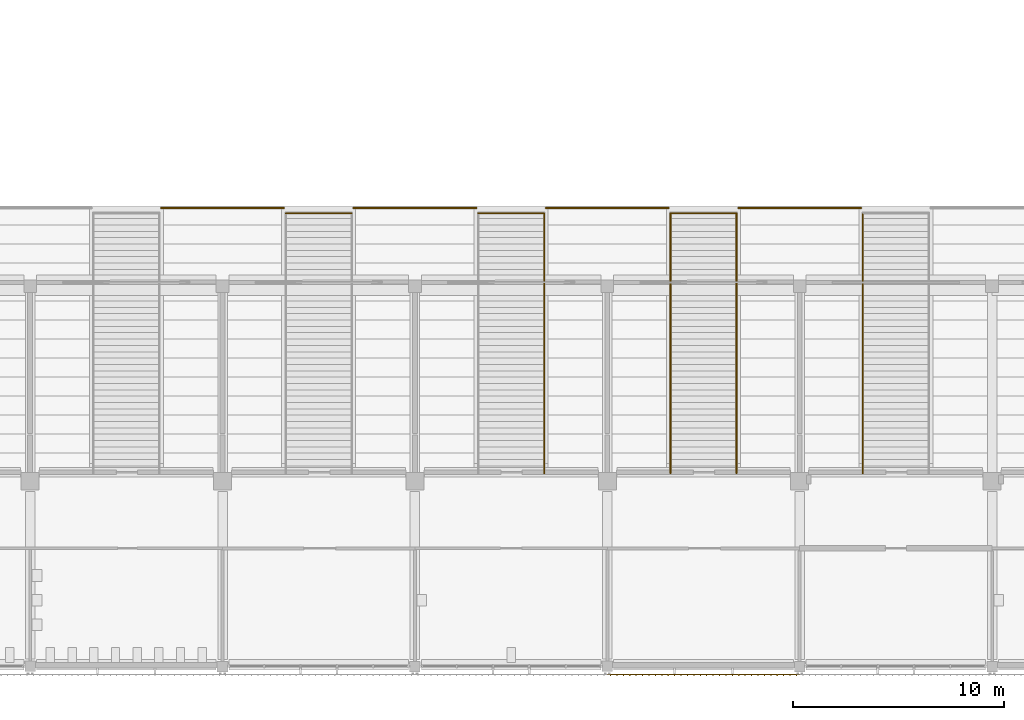
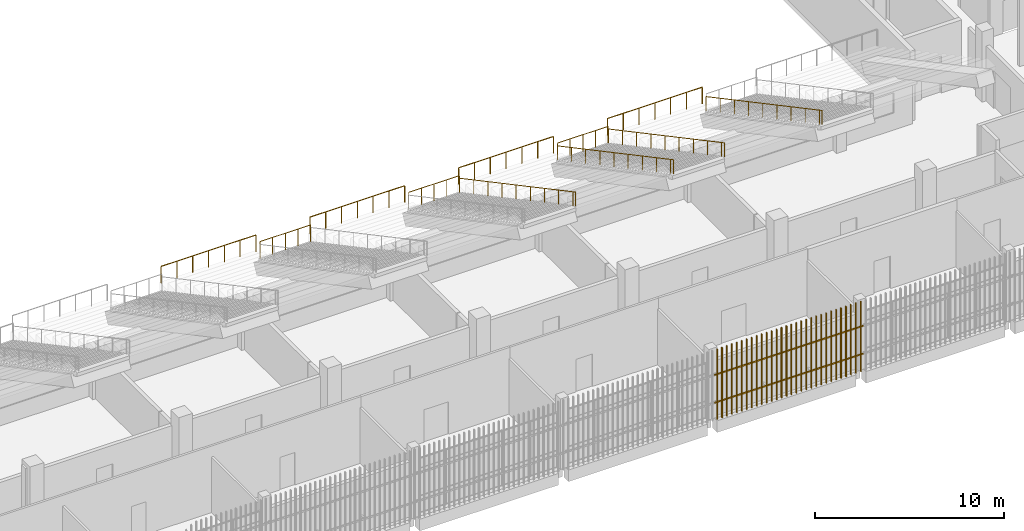
# One storey, part 119 of 139: 11 railings, 1 shading device.
"""IFC4 building model written with IfcOpenShell, lengths in metres."""

from ifc_helpers import new_model, si_unit, direction, frame, origin, origin_2d, place, context, subcontext, project, spatial, rectangle, circle, extrude, material, type_object, element, save


model = new_model("IFC4")

# Units and contexts
model_context = context("Model", 3, precision=1e-05, world=origin(), true_north=direction((0.0, 1.0)))
body_context = subcontext(model_context, "Body", "Model", "MODEL_VIEW")
ifc_project = project(units=[si_unit("LENGTHUNIT", "METRE"), si_unit("AREAUNIT", "SQUARE_METRE"), si_unit("VOLUMEUNIT", "CUBIC_METRE"), si_unit("PLANEANGLEUNIT", "RADIAN"), si_unit("MASSUNIT", "GRAM", prefix="KILO")], contexts=[model_context])

# Site, building, storey
site_placement = place(None, origin())
site = spatial("IfcSite", under=ifc_project, at=site_placement, CompositionType="ELEMENT")
building_placement = place(site_placement, origin())
building = spatial("IfcBuilding", under=site, at=building_placement, Name="Shirokan Park Arena", CompositionType="ELEMENT")
storey_placement = place(building_placement, frame((0.0, 0.0, 15.469970703125)))
storey = spatial("IfcBuildingStorey", under=building, at=storey_placement, Name="L03", CompositionType="ELEMENT", Elevation=15.469970703125)

# Railings
ifc_material_1 = material(Name="Stainless steel", Category="steel")
railing_type_1 = type_object("IfcRailingType", Name="Aisle foot guard 1100", PredefinedType="GUARDRAIL", material=ifc_material_1)
railing_1_placement = place(storey_placement, frame((66.699951171875, 21.35009765625, 2.5400390625)))
element("IfcRailing", 1, at=railing_1_placement, inside=storey, type_object=railing_type_1, Name="Guard foot of vomitory stair S3 upper", PredefinedType="GUARDRAIL", context=body_context, shape_type="SweptSolid", body=[
    extrude(circle(Radius=0.02490234375, at=origin_2d()), frame((0.0, 0.0, 1.0771484375), z_axis=(1.0, 0.0, 0.0), x_axis=(0.0, 1.0, 0.0)), (0.0, 0.0, 1.0), 3.10009765625),
    extrude(circle(Radius=0.02490234375, at=origin_2d()), origin(), (0.0, 0.0, 1.0), 1.052001953125),
    extrude(circle(Radius=0.02490234375, at=origin_2d()), frame((0.77490234375, 0.0, 0.0)), (0.0, 0.0, 1.0), 1.052001953125),
    extrude(circle(Radius=0.02490234375, at=origin_2d()), frame((1.550048828125, 0.0, 0.0)), (0.0, 0.0, 1.0), 1.052001953125),
    extrude(circle(Radius=0.02490234375, at=origin_2d()), frame((2.3251953125, 0.0, 0.0)), (0.0, 0.0, 1.0), 1.052001953125),
    extrude(circle(Radius=0.02490234375, at=origin_2d()), frame((3.10009765625, 0.0, 0.0)), (0.0, 0.0, 1.0), 1.052001953125),
])
railing_2_placement = place(storey_placement, frame((75.800048828125, 21.35009765625, 2.5400390625)))
element("IfcRailing", 2, at=railing_2_placement, inside=storey, type_object=railing_type_1, Name="Guard foot of vomitory stair S4 upper", PredefinedType="GUARDRAIL", context=body_context, shape_type="SweptSolid", body=[
    extrude(circle(Radius=0.02490234375, at=origin_2d()), frame((0.0, 0.0, 1.0771484375), z_axis=(1.0, 0.0, 0.0), x_axis=(0.0, 1.0, 0.0)), (0.0, 0.0, 1.0), 3.099853515625),
    extrude(circle(Radius=0.02490234375, at=origin_2d()), origin(), (0.0, 0.0, 1.0), 1.052001953125),
    extrude(circle(Radius=0.02490234375, at=origin_2d()), frame((0.77490234375, 0.0, 0.0)), (0.0, 0.0, 1.0), 1.052001953125),
    extrude(circle(Radius=0.02490234375, at=origin_2d()), frame((1.5498046875, 0.0, 0.0)), (0.0, 0.0, 1.0), 1.052001953125),
    extrude(circle(Radius=0.02490234375, at=origin_2d()), frame((2.324951171875, 0.0, 0.0)), (0.0, 0.0, 1.0), 1.052001953125),
    extrude(circle(Radius=0.02490234375, at=origin_2d()), frame((3.099853515625, 0.0, 0.0)), (0.0, 0.0, 1.0), 1.052001953125),
])
railing_3_placement = place(storey_placement, frame((84.89990234375, 21.35009765625, 2.5400390625)))
element("IfcRailing", 3, at=railing_3_placement, inside=storey, type_object=railing_type_1, Name="Guard foot of vomitory stair S5 upper", PredefinedType="GUARDRAIL", context=body_context, shape_type="SweptSolid", body=[
    extrude(circle(Radius=0.02490234375, at=origin_2d()), frame((0.0, 0.0, 1.0771484375), z_axis=(1.0, 0.0, 0.0), x_axis=(0.0, 1.0, 0.0)), (0.0, 0.0, 1.0), 3.10009765625),
    extrude(circle(Radius=0.02490234375, at=origin_2d()), origin(), (0.0, 0.0, 1.0), 1.052001953125),
    extrude(circle(Radius=0.02490234375, at=origin_2d()), frame((0.77490234375, 0.0, 0.0)), (0.0, 0.0, 1.0), 1.052001953125),
    extrude(circle(Radius=0.02490234375, at=origin_2d()), frame((1.550048828125, 0.0, 0.0)), (0.0, 0.0, 1.0), 1.052001953125),
    extrude(circle(Radius=0.02490234375, at=origin_2d()), frame((2.3251953125, 0.0, 0.0)), (0.0, 0.0, 1.0), 1.052001953125),
    extrude(circle(Radius=0.02490234375, at=origin_2d()), frame((3.10009765625, 0.0, 0.0)), (0.0, 0.0, 1.0), 1.052001953125),
])
railing_type_2 = type_object("IfcRailingType", Name="Aisle handrail 900", PredefinedType="HANDRAIL", material=ifc_material_1)
railing_4_placement = place(storey_placement, frame((78.909912109375, 21.35009765625, 2.5400390625)))
element("IfcRailing", 4, at=railing_4_placement, inside=storey, type_object=railing_type_2, Name="Handrail vomitory stair S4 upper", PredefinedType="HANDRAIL", context=body_context, shape_type="SweptSolid", body=[
    extrude(circle(Radius=0.02490234375, at=origin_2d()), frame((0.0, 0.0, 0.90185546875), z_axis=(0.0, -0.882341014787, 0.470610596591), x_axis=(1.0, 0.0, 0.0)), (0.0, 0.0, 1.0), 1.699951171875),
    extrude(circle(Radius=0.02490234375, at=origin_2d()), frame((0.0, -1.5, 1.70166015625), z_axis=(0.0, -0.882341014787, 0.470610596591), x_axis=(1.0, 0.0, 0.0)), (0.0, 0.0, 1.0), 1.699951171875),
    extrude(circle(Radius=0.02490234375, at=origin_2d()), frame((0.0, -3.0, 2.501953125), z_axis=(0.0, -0.88240064429, 0.470498781037), x_axis=(1.0, 0.0, 0.0)), (0.0, 0.0, 1.0), 1.699951171875),
    extrude(circle(Radius=0.02490234375, at=origin_2d()), frame((0.0, -4.5, 3.3017578125), z_axis=(0.0, -0.882341014787, 0.470610596591), x_axis=(1.0, 0.0, 0.0)), (0.0, 0.0, 1.0), 1.699951171875),
    extrude(circle(Radius=0.02490234375, at=origin_2d()), frame((0.0, -6.0, 4.1015625), z_axis=(0.0, -0.882341014787, 0.470610596591), x_axis=(1.0, 0.0, 0.0)), (0.0, 0.0, 1.0), 1.699951171875),
    extrude(circle(Radius=0.02490234375, at=origin_2d()), frame((0.0, -7.5, 4.90185546875), z_axis=(0.0, -0.882341014787, 0.470610596591), x_axis=(1.0, 0.0, 0.0)), (0.0, 0.0, 1.0), 1.699951171875),
    extrude(circle(Radius=0.02490234375, at=origin_2d()), frame((0.0, -9.0, 5.70166015625), z_axis=(0.0, -0.882341014787, 0.470610596591), x_axis=(1.0, 0.0, 0.0)), (0.0, 0.0, 1.0), 1.699951171875),
    extrude(circle(Radius=0.02490234375, at=origin_2d()), frame((0.0, -10.5, 6.501953125), z_axis=(0.0, -0.88240064429, 0.470498781037), x_axis=(1.0, 0.0, 0.0)), (0.0, 0.0, 1.0), 1.699951171875),
    extrude(circle(Radius=0.02490234375, at=origin_2d()), frame((0.0, -12.0, 7.3017578125), z_axis=(0.0, -0.882193928472, 0.470886262878), x_axis=(1.0, 0.0, 0.0)), (0.0, 0.0, 1.0), 0.340087890625),
    extrude(circle(Radius=0.02490234375, at=origin_2d()), origin(), (0.0, 0.0, 1.0), 0.876708984375),
    extrude(circle(Radius=0.02490234375, at=origin_2d()), frame((0.0, -1.5, 0.800048828125)), (0.0, 0.0, 1.0), 0.876708984375),
    extrude(circle(Radius=0.02490234375, at=origin_2d()), frame((0.0, -3.0, 1.60009765625)), (0.0, 0.0, 1.0), 0.876708984375),
    extrude(circle(Radius=0.02490234375, at=origin_2d()), frame((0.0, -4.5, 2.39990234375)), (0.0, 0.0, 1.0), 0.876708984375),
    extrude(circle(Radius=0.02490234375, at=origin_2d()), frame((0.0, -6.0, 3.199951171875)), (0.0, 0.0, 1.0), 0.876708984375),
    extrude(circle(Radius=0.02490234375, at=origin_2d()), frame((0.0, -7.5, 4.0)), (0.0, 0.0, 1.0), 0.876708984375),
    extrude(circle(Radius=0.02490234375, at=origin_2d()), frame((0.0, -9.0, 4.800048828125)), (0.0, 0.0, 1.0), 0.876708984375),
    extrude(circle(Radius=0.02490234375, at=origin_2d()), frame((0.0, -10.5, 5.60009765625)), (0.0, 0.0, 1.0), 0.876708984375),
    extrude(circle(Radius=0.02490234375, at=origin_2d()), frame((0.0, -12.0, 6.39990234375)), (0.0, 0.0, 1.0), 0.876708984375),
    extrude(circle(Radius=0.02490234375, at=origin_2d()), frame((0.0, -12.300048828125, 6.56005859375)), (0.0, 0.0, 1.0), 0.876708984375),
])
railing_5_placement = place(storey_placement, frame((84.889892578125, 21.35009765625, 2.5400390625)))
element("IfcRailing", 5, at=railing_5_placement, inside=storey, type_object=railing_type_2, Name="Handrail vomitory stair S5 upper", PredefinedType="HANDRAIL", context=body_context, shape_type="SweptSolid", body=[
    extrude(circle(Radius=0.02490234375, at=origin_2d()), frame((0.0, 0.0, 0.90185546875), z_axis=(0.0, -0.882341014787, 0.470610596591), x_axis=(1.0, 0.0, 0.0)), (0.0, 0.0, 1.0), 1.699951171875),
    extrude(circle(Radius=0.02490234375, at=origin_2d()), frame((0.0, -1.5, 1.70166015625), z_axis=(0.0, -0.882341014787, 0.470610596591), x_axis=(1.0, 0.0, 0.0)), (0.0, 0.0, 1.0), 1.699951171875),
    extrude(circle(Radius=0.02490234375, at=origin_2d()), frame((0.0, -3.0, 2.501953125), z_axis=(0.0, -0.88240064429, 0.470498781037), x_axis=(1.0, 0.0, 0.0)), (0.0, 0.0, 1.0), 1.699951171875),
    extrude(circle(Radius=0.02490234375, at=origin_2d()), frame((0.0, -4.5, 3.3017578125), z_axis=(0.0, -0.882341014787, 0.470610596591), x_axis=(1.0, 0.0, 0.0)), (0.0, 0.0, 1.0), 1.699951171875),
    extrude(circle(Radius=0.02490234375, at=origin_2d()), frame((0.0, -6.0, 4.1015625), z_axis=(0.0, -0.882341014787, 0.470610596591), x_axis=(1.0, 0.0, 0.0)), (0.0, 0.0, 1.0), 1.699951171875),
    extrude(circle(Radius=0.02490234375, at=origin_2d()), frame((0.0, -7.5, 4.90185546875), z_axis=(0.0, -0.882341014787, 0.470610596591), x_axis=(1.0, 0.0, 0.0)), (0.0, 0.0, 1.0), 1.699951171875),
    extrude(circle(Radius=0.02490234375, at=origin_2d()), frame((0.0, -9.0, 5.70166015625), z_axis=(0.0, -0.882341014787, 0.470610596591), x_axis=(1.0, 0.0, 0.0)), (0.0, 0.0, 1.0), 1.699951171875),
    extrude(circle(Radius=0.02490234375, at=origin_2d()), frame((0.0, -10.5, 6.501953125), z_axis=(0.0, -0.88240064429, 0.470498781037), x_axis=(1.0, 0.0, 0.0)), (0.0, 0.0, 1.0), 1.699951171875),
    extrude(circle(Radius=0.02490234375, at=origin_2d()), frame((0.0, -12.0, 7.3017578125), z_axis=(0.0, -0.882193928472, 0.470886262878), x_axis=(1.0, 0.0, 0.0)), (0.0, 0.0, 1.0), 0.340087890625),
    extrude(circle(Radius=0.02490234375, at=origin_2d()), origin(), (0.0, 0.0, 1.0), 0.876708984375),
    extrude(circle(Radius=0.02490234375, at=origin_2d()), frame((0.0, -1.5, 0.800048828125)), (0.0, 0.0, 1.0), 0.876708984375),
    extrude(circle(Radius=0.02490234375, at=origin_2d()), frame((0.0, -3.0, 1.60009765625)), (0.0, 0.0, 1.0), 0.876708984375),
    extrude(circle(Radius=0.02490234375, at=origin_2d()), frame((0.0, -4.5, 2.39990234375)), (0.0, 0.0, 1.0), 0.876708984375),
    extrude(circle(Radius=0.02490234375, at=origin_2d()), frame((0.0, -6.0, 3.199951171875)), (0.0, 0.0, 1.0), 0.876708984375),
    extrude(circle(Radius=0.02490234375, at=origin_2d()), frame((0.0, -7.5, 4.0)), (0.0, 0.0, 1.0), 0.876708984375),
    extrude(circle(Radius=0.02490234375, at=origin_2d()), frame((0.0, -9.0, 4.800048828125)), (0.0, 0.0, 1.0), 0.876708984375),
    extrude(circle(Radius=0.02490234375, at=origin_2d()), frame((0.0, -10.5, 5.60009765625)), (0.0, 0.0, 1.0), 0.876708984375),
    extrude(circle(Radius=0.02490234375, at=origin_2d()), frame((0.0, -12.0, 6.39990234375)), (0.0, 0.0, 1.0), 0.876708984375),
    extrude(circle(Radius=0.02490234375, at=origin_2d()), frame((0.0, -12.300048828125, 6.56005859375)), (0.0, 0.0, 1.0), 0.876708984375),
])
railing_6_placement = place(storey_placement, frame((88.010009765625, 21.35009765625, 2.5400390625)))
element("IfcRailing", 6, at=railing_6_placement, inside=storey, type_object=railing_type_2, Name="Handrail vomitory stair S5 upper", PredefinedType="HANDRAIL", context=body_context, shape_type="SweptSolid", body=[
    extrude(circle(Radius=0.02490234375, at=origin_2d()), frame((0.0, 0.0, 0.90185546875), z_axis=(0.0, -0.882341014787, 0.470610596591), x_axis=(1.0, 0.0, 0.0)), (0.0, 0.0, 1.0), 1.699951171875),
    extrude(circle(Radius=0.02490234375, at=origin_2d()), frame((0.0, -1.5, 1.70166015625), z_axis=(0.0, -0.882341014787, 0.470610596591), x_axis=(1.0, 0.0, 0.0)), (0.0, 0.0, 1.0), 1.699951171875),
    extrude(circle(Radius=0.02490234375, at=origin_2d()), frame((0.0, -3.0, 2.501953125), z_axis=(0.0, -0.88240064429, 0.470498781037), x_axis=(1.0, 0.0, 0.0)), (0.0, 0.0, 1.0), 1.699951171875),
    extrude(circle(Radius=0.02490234375, at=origin_2d()), frame((0.0, -4.5, 3.3017578125), z_axis=(0.0, -0.882341014787, 0.470610596591), x_axis=(1.0, 0.0, 0.0)), (0.0, 0.0, 1.0), 1.699951171875),
    extrude(circle(Radius=0.02490234375, at=origin_2d()), frame((0.0, -6.0, 4.1015625), z_axis=(0.0, -0.882341014787, 0.470610596591), x_axis=(1.0, 0.0, 0.0)), (0.0, 0.0, 1.0), 1.699951171875),
    extrude(circle(Radius=0.02490234375, at=origin_2d()), frame((0.0, -7.5, 4.90185546875), z_axis=(0.0, -0.882341014787, 0.470610596591), x_axis=(1.0, 0.0, 0.0)), (0.0, 0.0, 1.0), 1.699951171875),
    extrude(circle(Radius=0.02490234375, at=origin_2d()), frame((0.0, -9.0, 5.70166015625), z_axis=(0.0, -0.882341014787, 0.470610596591), x_axis=(1.0, 0.0, 0.0)), (0.0, 0.0, 1.0), 1.699951171875),
    extrude(circle(Radius=0.02490234375, at=origin_2d()), frame((0.0, -10.5, 6.501953125), z_axis=(0.0, -0.88240064429, 0.470498781037), x_axis=(1.0, 0.0, 0.0)), (0.0, 0.0, 1.0), 1.699951171875),
    extrude(circle(Radius=0.02490234375, at=origin_2d()), frame((0.0, -12.0, 7.3017578125), z_axis=(0.0, -0.882193928472, 0.470886262878), x_axis=(1.0, 0.0, 0.0)), (0.0, 0.0, 1.0), 0.340087890625),
    extrude(circle(Radius=0.02490234375, at=origin_2d()), origin(), (0.0, 0.0, 1.0), 0.876708984375),
    extrude(circle(Radius=0.02490234375, at=origin_2d()), frame((0.0, -1.5, 0.800048828125)), (0.0, 0.0, 1.0), 0.876708984375),
    extrude(circle(Radius=0.02490234375, at=origin_2d()), frame((0.0, -3.0, 1.60009765625)), (0.0, 0.0, 1.0), 0.876708984375),
    extrude(circle(Radius=0.02490234375, at=origin_2d()), frame((0.0, -4.5, 2.39990234375)), (0.0, 0.0, 1.0), 0.876708984375),
    extrude(circle(Radius=0.02490234375, at=origin_2d()), frame((0.0, -6.0, 3.199951171875)), (0.0, 0.0, 1.0), 0.876708984375),
    extrude(circle(Radius=0.02490234375, at=origin_2d()), frame((0.0, -7.5, 4.0)), (0.0, 0.0, 1.0), 0.876708984375),
    extrude(circle(Radius=0.02490234375, at=origin_2d()), frame((0.0, -9.0, 4.800048828125)), (0.0, 0.0, 1.0), 0.876708984375),
    extrude(circle(Radius=0.02490234375, at=origin_2d()), frame((0.0, -10.5, 5.60009765625)), (0.0, 0.0, 1.0), 0.876708984375),
    extrude(circle(Radius=0.02490234375, at=origin_2d()), frame((0.0, -12.0, 6.39990234375)), (0.0, 0.0, 1.0), 0.876708984375),
    extrude(circle(Radius=0.02490234375, at=origin_2d()), frame((0.0, -12.300048828125, 6.56005859375)), (0.0, 0.0, 1.0), 0.876708984375),
])
railing_7_placement = place(storey_placement, frame((93.989990234375, 21.35009765625, 2.5400390625)))
element("IfcRailing", 7, at=railing_7_placement, inside=storey, type_object=railing_type_2, Name="Handrail vomitory stair S6 upper", PredefinedType="HANDRAIL", context=body_context, shape_type="SweptSolid", body=[
    extrude(circle(Radius=0.02490234375, at=origin_2d()), frame((0.0, 0.0, 0.90185546875), z_axis=(0.0, -0.882341014787, 0.470610596591), x_axis=(1.0, 0.0, 0.0)), (0.0, 0.0, 1.0), 1.699951171875),
    extrude(circle(Radius=0.02490234375, at=origin_2d()), frame((0.0, -1.5, 1.70166015625), z_axis=(0.0, -0.882341014787, 0.470610596591), x_axis=(1.0, 0.0, 0.0)), (0.0, 0.0, 1.0), 1.699951171875),
    extrude(circle(Radius=0.02490234375, at=origin_2d()), frame((0.0, -3.0, 2.501953125), z_axis=(0.0, -0.88240064429, 0.470498781037), x_axis=(1.0, 0.0, 0.0)), (0.0, 0.0, 1.0), 1.699951171875),
    extrude(circle(Radius=0.02490234375, at=origin_2d()), frame((0.0, -4.5, 3.3017578125), z_axis=(0.0, -0.882341014787, 0.470610596591), x_axis=(1.0, 0.0, 0.0)), (0.0, 0.0, 1.0), 1.699951171875),
    extrude(circle(Radius=0.02490234375, at=origin_2d()), frame((0.0, -6.0, 4.1015625), z_axis=(0.0, -0.882341014787, 0.470610596591), x_axis=(1.0, 0.0, 0.0)), (0.0, 0.0, 1.0), 1.699951171875),
    extrude(circle(Radius=0.02490234375, at=origin_2d()), frame((0.0, -7.5, 4.90185546875), z_axis=(0.0, -0.882341014787, 0.470610596591), x_axis=(1.0, 0.0, 0.0)), (0.0, 0.0, 1.0), 1.699951171875),
    extrude(circle(Radius=0.02490234375, at=origin_2d()), frame((0.0, -9.0, 5.70166015625), z_axis=(0.0, -0.882341014787, 0.470610596591), x_axis=(1.0, 0.0, 0.0)), (0.0, 0.0, 1.0), 1.699951171875),
    extrude(circle(Radius=0.02490234375, at=origin_2d()), frame((0.0, -10.5, 6.501953125), z_axis=(0.0, -0.88240064429, 0.470498781037), x_axis=(1.0, 0.0, 0.0)), (0.0, 0.0, 1.0), 1.699951171875),
    extrude(circle(Radius=0.02490234375, at=origin_2d()), frame((0.0, -12.0, 7.3017578125), z_axis=(0.0, -0.882193928472, 0.470886262878), x_axis=(1.0, 0.0, 0.0)), (0.0, 0.0, 1.0), 0.340087890625),
    extrude(circle(Radius=0.02490234375, at=origin_2d()), origin(), (0.0, 0.0, 1.0), 0.876708984375),
    extrude(circle(Radius=0.02490234375, at=origin_2d()), frame((0.0, -1.5, 0.800048828125)), (0.0, 0.0, 1.0), 0.876708984375),
    extrude(circle(Radius=0.02490234375, at=origin_2d()), frame((0.0, -3.0, 1.60009765625)), (0.0, 0.0, 1.0), 0.876708984375),
    extrude(circle(Radius=0.02490234375, at=origin_2d()), frame((0.0, -4.5, 2.39990234375)), (0.0, 0.0, 1.0), 0.876708984375),
    extrude(circle(Radius=0.02490234375, at=origin_2d()), frame((0.0, -6.0, 3.199951171875)), (0.0, 0.0, 1.0), 0.876708984375),
    extrude(circle(Radius=0.02490234375, at=origin_2d()), frame((0.0, -7.5, 4.0)), (0.0, 0.0, 1.0), 0.876708984375),
    extrude(circle(Radius=0.02490234375, at=origin_2d()), frame((0.0, -9.0, 4.800048828125)), (0.0, 0.0, 1.0), 0.876708984375),
    extrude(circle(Radius=0.02490234375, at=origin_2d()), frame((0.0, -10.5, 5.60009765625)), (0.0, 0.0, 1.0), 0.876708984375),
    extrude(circle(Radius=0.02490234375, at=origin_2d()), frame((0.0, -12.0, 6.39990234375)), (0.0, 0.0, 1.0), 0.876708984375),
    extrude(circle(Radius=0.02490234375, at=origin_2d()), frame((0.0, -12.300048828125, 6.56005859375)), (0.0, 0.0, 1.0), 0.876708984375),
])
railing_type_3 = type_object("IfcRailingType", Name="Crowd barrier 1100", PredefinedType="GUARDRAIL", material=ifc_material_1)
for number, where, name in (
    (8, (60.800048828125, 21.60009765625, 2.860107421875), "Crowd barrier S3 upper tier"),
    (9, (69.89990234375, 21.60009765625, 2.860107421875), "Crowd barrier S4 upper tier"),
    (10, (79.0, 21.60009765625, 2.860107421875), "Crowd barrier S5 upper tier"),
):
    element("IfcRailing", number, at=place(storey_placement, frame(where)), inside=storey, type_object=railing_type_3, Name=name, PredefinedType="GUARDRAIL", context=body_context, shape_type="SweptSolid", body=[
        extrude(circle(Radius=0.030029296875, at=origin_2d()), frame((0.0, 0.0, 1.072021484375), z_axis=(1.0, 0.0, 0.0), x_axis=(0.0, 1.0, 0.0)), (0.0, 0.0, 1.0), 5.800048828125),
        extrude(circle(Radius=0.030029296875, at=origin_2d()), origin(), (0.0, 0.0, 1.0), 1.0419921875),
        extrude(circle(Radius=0.030029296875, at=origin_2d()), frame((0.966796875, 0.0, 0.0)), (0.0, 0.0, 1.0), 1.0419921875),
        extrude(circle(Radius=0.030029296875, at=origin_2d()), frame((1.933349609375, 0.0, 0.0)), (0.0, 0.0, 1.0), 1.0419921875),
        extrude(circle(Radius=0.030029296875, at=origin_2d()), frame((2.89990234375, 0.0, 0.0)), (0.0, 0.0, 1.0), 1.0419921875),
        extrude(circle(Radius=0.030029296875, at=origin_2d()), frame((3.86669921875, 0.0, 0.0)), (0.0, 0.0, 1.0), 1.0419921875),
        extrude(circle(Radius=0.030029296875, at=origin_2d()), frame((4.83349609375, 0.0, 0.0)), (0.0, 0.0, 1.0), 1.0419921875),
        extrude(circle(Radius=0.030029296875, at=origin_2d()), frame((5.800048828125, 0.0, 0.0)), (0.0, 0.0, 1.0), 1.0419921875),
    ])
railing_8_placement = place(storey_placement, frame((88.10009765625, 21.60009765625, 2.860107421875)))
element("IfcRailing", 11, at=railing_8_placement, inside=storey, type_object=railing_type_3, Name="Crowd barrier S6 upper tier", PredefinedType="GUARDRAIL", context=body_context, shape_type="SweptSolid", body=[
    extrude(circle(Radius=0.030029296875, at=origin_2d()), frame((0.0, 0.0, 1.072021484375), z_axis=(1.0, 0.0, 0.0), x_axis=(0.0, 1.0, 0.0)), (0.0, 0.0, 1.0), 5.7998046875),
    extrude(circle(Radius=0.030029296875, at=origin_2d()), origin(), (0.0, 0.0, 1.0), 1.0419921875),
    extrude(circle(Radius=0.030029296875, at=origin_2d()), frame((0.966552734375, 0.0, 0.0)), (0.0, 0.0, 1.0), 1.0419921875),
    extrude(circle(Radius=0.030029296875, at=origin_2d()), frame((1.933349609375, 0.0, 0.0)), (0.0, 0.0, 1.0), 1.0419921875),
    extrude(circle(Radius=0.030029296875, at=origin_2d()), frame((2.89990234375, 0.0, 0.0)), (0.0, 0.0, 1.0), 1.0419921875),
    extrude(circle(Radius=0.030029296875, at=origin_2d()), frame((3.866455078125, 0.0, 0.0)), (0.0, 0.0, 1.0), 1.0419921875),
    extrude(circle(Radius=0.030029296875, at=origin_2d()), frame((4.833251953125, 0.0, 0.0)), (0.0, 0.0, 1.0), 1.0419921875),
    extrude(circle(Radius=0.030029296875, at=origin_2d()), frame((5.7998046875, 0.0, 0.0)), (0.0, 0.0, 1.0), 1.0419921875),
])

# Shading device
ifc_material_2 = material(Name="Timber louvre veil (cedar)", Category="wood")
shading_device_type = type_object("IfcShadingDeviceType", Name="Timber louvre veil panel", PredefinedType="JALOUSIE", material=ifc_material_2)
shading_device_placement = place(storey_placement, origin())
element("IfcShadingDevice", 12, at=shading_device_placement, inside=storey, type_object=shading_device_type, Name="Timber louvre veil south bay 10 L03", PredefinedType="JALOUSIE", context=body_context, shape_type="SweptSolid", body=[
    extrude(rectangle(XDim=0.050048828125, YDim=0.080078125, at=origin_2d()), frame((82.0517578125, -0.485107421875, 0.0), z_axis=(0.0, 0.0, 1.0), x_axis=(1.0, 0.0, 0.0)), (0.0, 0.0, 1.0), 4.550048828125),
    extrude(rectangle(XDim=0.050048828125, YDim=0.080078125, at=origin_2d()), frame((82.35498046875, -0.485107421875, 0.0), z_axis=(0.0, 0.0, 1.0), x_axis=(1.0, 0.0, 0.0)), (0.0, 0.0, 1.0), 4.550048828125),
    extrude(rectangle(XDim=0.050048828125, YDim=0.080078125, at=origin_2d()), frame((82.658447265625, -0.485107421875, 0.0), z_axis=(0.0, 0.0, 1.0), x_axis=(1.0, 0.0, 0.0)), (0.0, 0.0, 1.0), 4.550048828125),
    extrude(rectangle(XDim=0.050048828125, YDim=0.080078125, at=origin_2d()), frame((82.961669921875, -0.485107421875, 0.0), z_axis=(0.0, 0.0, 1.0), x_axis=(1.0, 0.0, 0.0)), (0.0, 0.0, 1.0), 4.550048828125),
    extrude(rectangle(XDim=0.050048828125, YDim=0.080078125, at=origin_2d()), frame((83.264892578125, -0.485107421875, 0.0), z_axis=(0.0, 0.0, 1.0), x_axis=(1.0, 0.0, 0.0)), (0.0, 0.0, 1.0), 4.550048828125),
    extrude(rectangle(XDim=0.050048828125, YDim=0.080078125, at=origin_2d()), frame((83.568359375, -0.485107421875, 0.0), z_axis=(0.0, 0.0, 1.0), x_axis=(1.0, 0.0, 0.0)), (0.0, 0.0, 1.0), 4.550048828125),
    extrude(rectangle(XDim=0.050048828125, YDim=0.080078125, at=origin_2d()), frame((83.87158203125, -0.485107421875, 0.0), z_axis=(0.0, 0.0, 1.0), x_axis=(1.0, 0.0, 0.0)), (0.0, 0.0, 1.0), 4.550048828125),
    extrude(rectangle(XDim=0.050048828125, YDim=0.080078125, at=origin_2d()), frame((84.175048828125, -0.485107421875, 0.0), z_axis=(0.0, 0.0, 1.0), x_axis=(1.0, 0.0, 0.0)), (0.0, 0.0, 1.0), 4.550048828125),
    extrude(rectangle(XDim=0.050048828125, YDim=0.080078125, at=origin_2d()), frame((84.478271484375, -0.485107421875, 0.0), z_axis=(0.0, 0.0, 1.0), x_axis=(1.0, 0.0, 0.0)), (0.0, 0.0, 1.0), 4.550048828125),
    extrude(rectangle(XDim=0.050048828125, YDim=0.080078125, at=origin_2d()), frame((84.78173828125, -0.485107421875, 0.0), z_axis=(0.0, 0.0, 1.0), x_axis=(1.0, 0.0, 0.0)), (0.0, 0.0, 1.0), 4.550048828125),
    extrude(rectangle(XDim=0.050048828125, YDim=0.080078125, at=origin_2d()), frame((85.0849609375, -0.485107421875, 0.0), z_axis=(0.0, 0.0, 1.0), x_axis=(1.0, 0.0, 0.0)), (0.0, 0.0, 1.0), 4.550048828125),
    extrude(rectangle(XDim=0.050048828125, YDim=0.080078125, at=origin_2d()), frame((85.388427734375, -0.485107421875, 0.0), z_axis=(0.0, 0.0, 1.0), x_axis=(1.0, 0.0, 0.0)), (0.0, 0.0, 1.0), 4.550048828125),
    extrude(rectangle(XDim=0.050048828125, YDim=0.080078125, at=origin_2d()), frame((85.691650390625, -0.485107421875, 0.0), z_axis=(0.0, 0.0, 1.0), x_axis=(1.0, 0.0, 0.0)), (0.0, 0.0, 1.0), 4.550048828125),
    extrude(rectangle(XDim=0.050048828125, YDim=0.080078125, at=origin_2d()), frame((85.9951171875, -0.485107421875, 0.0), z_axis=(0.0, 0.0, 1.0), x_axis=(1.0, 0.0, 0.0)), (0.0, 0.0, 1.0), 4.550048828125),
    extrude(rectangle(XDim=0.050048828125, YDim=0.080078125, at=origin_2d()), frame((86.29833984375, -0.485107421875, 0.0), z_axis=(0.0, 0.0, 1.0), x_axis=(1.0, 0.0, 0.0)), (0.0, 0.0, 1.0), 4.550048828125),
    extrude(rectangle(XDim=0.050048828125, YDim=0.080078125, at=origin_2d()), frame((86.6015625, -0.485107421875, 0.0), z_axis=(0.0, 0.0, 1.0), x_axis=(1.0, 0.0, 0.0)), (0.0, 0.0, 1.0), 4.550048828125),
    extrude(rectangle(XDim=0.050048828125, YDim=0.080078125, at=origin_2d()), frame((86.905029296875, -0.485107421875, 0.0), z_axis=(0.0, 0.0, 1.0), x_axis=(1.0, 0.0, 0.0)), (0.0, 0.0, 1.0), 4.550048828125),
    extrude(rectangle(XDim=0.050048828125, YDim=0.080078125, at=origin_2d()), frame((87.208251953125, -0.485107421875, 0.0), z_axis=(0.0, 0.0, 1.0), x_axis=(1.0, 0.0, 0.0)), (0.0, 0.0, 1.0), 4.550048828125),
    extrude(rectangle(XDim=0.050048828125, YDim=0.080078125, at=origin_2d()), frame((87.51171875, -0.485107421875, 0.0), z_axis=(0.0, 0.0, 1.0), x_axis=(1.0, 0.0, 0.0)), (0.0, 0.0, 1.0), 4.550048828125),
    extrude(rectangle(XDim=0.050048828125, YDim=0.080078125, at=origin_2d()), frame((87.81494140625, -0.485107421875, 0.0), z_axis=(0.0, 0.0, 1.0), x_axis=(1.0, 0.0, 0.0)), (0.0, 0.0, 1.0), 4.550048828125),
    extrude(rectangle(XDim=0.050048828125, YDim=0.080078125, at=origin_2d()), frame((88.118408203125, -0.485107421875, 0.0), z_axis=(0.0, 0.0, 1.0), x_axis=(1.0, 0.0, 0.0)), (0.0, 0.0, 1.0), 4.550048828125),
    extrude(rectangle(XDim=0.050048828125, YDim=0.080078125, at=origin_2d()), frame((88.421630859375, -0.485107421875, 0.0), z_axis=(0.0, 0.0, 1.0), x_axis=(1.0, 0.0, 0.0)), (0.0, 0.0, 1.0), 4.550048828125),
    extrude(rectangle(XDim=0.050048828125, YDim=0.080078125, at=origin_2d()), frame((88.72509765625, -0.485107421875, 0.0), z_axis=(0.0, 0.0, 1.0), x_axis=(1.0, 0.0, 0.0)), (0.0, 0.0, 1.0), 4.550048828125),
    extrude(rectangle(XDim=0.050048828125, YDim=0.080078125, at=origin_2d()), frame((89.0283203125, -0.485107421875, 0.0), z_axis=(0.0, 0.0, 1.0), x_axis=(1.0, 0.0, 0.0)), (0.0, 0.0, 1.0), 4.550048828125),
    extrude(rectangle(XDim=0.050048828125, YDim=0.080078125, at=origin_2d()), frame((89.331787109375, -0.485107421875, 0.0), z_axis=(0.0, 0.0, 1.0), x_axis=(1.0, 0.0, 0.0)), (0.0, 0.0, 1.0), 4.550048828125),
    extrude(rectangle(XDim=0.050048828125, YDim=0.080078125, at=origin_2d()), frame((89.635009765625, -0.485107421875, 0.0), z_axis=(0.0, 0.0, 1.0), x_axis=(1.0, 0.0, 0.0)), (0.0, 0.0, 1.0), 4.550048828125),
    extrude(rectangle(XDim=0.050048828125, YDim=0.080078125, at=origin_2d()), frame((89.938232421875, -0.485107421875, 0.0), z_axis=(0.0, 0.0, 1.0), x_axis=(1.0, 0.0, 0.0)), (0.0, 0.0, 1.0), 4.550048828125),
    extrude(rectangle(XDim=0.050048828125, YDim=0.080078125, at=origin_2d()), frame((90.24169921875, -0.485107421875, 0.0), z_axis=(0.0, 0.0, 1.0), x_axis=(1.0, 0.0, 0.0)), (0.0, 0.0, 1.0), 4.550048828125),
    extrude(rectangle(XDim=0.050048828125, YDim=0.080078125, at=origin_2d()), frame((90.544921875, -0.485107421875, 0.0), z_axis=(0.0, 0.0, 1.0), x_axis=(1.0, 0.0, 0.0)), (0.0, 0.0, 1.0), 4.550048828125),
    extrude(rectangle(XDim=0.050048828125, YDim=0.080078125, at=origin_2d()), frame((90.848388671875, -0.485107421875, 0.0), z_axis=(0.0, 0.0, 1.0), x_axis=(1.0, 0.0, 0.0)), (0.0, 0.0, 1.0), 4.550048828125),
    extrude(rectangle(XDim=9.10009765625, YDim=0.050048828125, at=origin_2d()), frame((86.449951171875, -0.469970703125, 1.06005859375), z_axis=(0.0, 0.0, 1.0), x_axis=(1.0, 0.0, 0.0)), (0.0, 0.0, 1.0), 0.080078125),
    extrude(rectangle(XDim=9.10009765625, YDim=0.050048828125, at=origin_2d()), frame((86.449951171875, -0.469970703125, 2.860107421875), z_axis=(0.0, 0.0, 1.0), x_axis=(1.0, 0.0, 0.0)), (0.0, 0.0, 1.0), 0.080078125),
])

save(model, "model.ifc")
